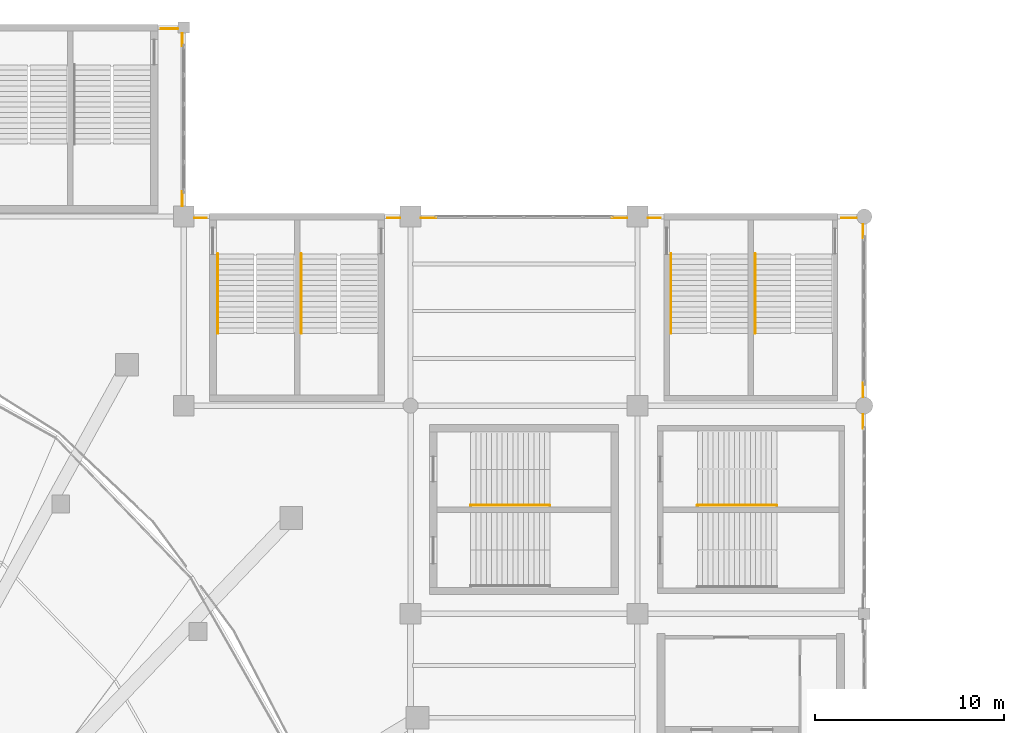
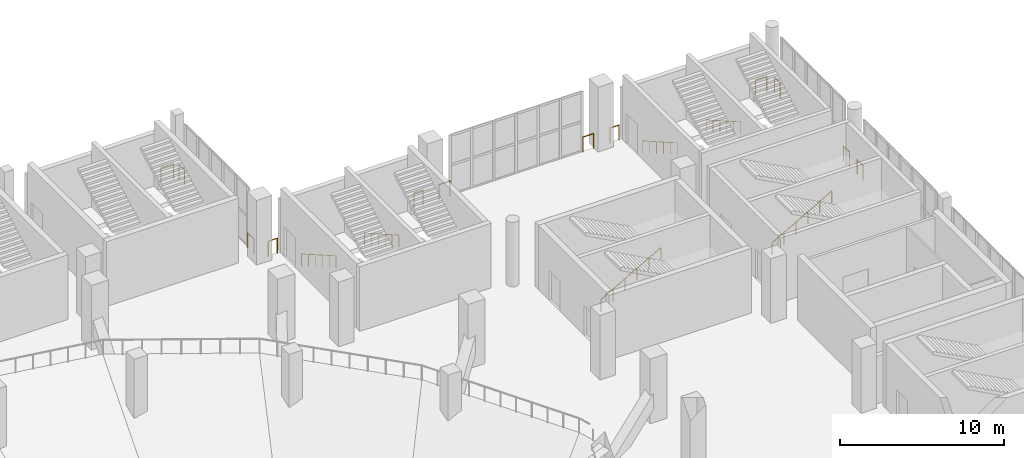
# One storey, part 136 of 136: 18 railings.
"""IFC4 building model written with IfcOpenShell, lengths in metres."""

from ifc_helpers import new_model, si_unit, direction, frame, origin, origin_2d, place, context, subcontext, project, spatial, circle, extrude, material, type_object, element, save


model = new_model("IFC4")

# Units and contexts
model_context = context("Model", 3, precision=1e-05, world=origin(), true_north=direction((0.0, 1.0)))
body_context = subcontext(model_context, "Body", "Model", "MODEL_VIEW")
ifc_project = project(units=[si_unit("LENGTHUNIT", "METRE"), si_unit("AREAUNIT", "SQUARE_METRE"), si_unit("VOLUMEUNIT", "CUBIC_METRE"), si_unit("PLANEANGLEUNIT", "RADIAN"), si_unit("MASSUNIT", "GRAM", prefix="KILO")], contexts=[model_context])

# Site, building, storey
site_placement = place(None, origin())
site = spatial("IfcSite", under=ifc_project, at=site_placement, CompositionType="ELEMENT")
building_placement = place(site_placement, origin())
building = spatial("IfcBuilding", under=site, at=building_placement, Name="Brinegate Civic Arena", CompositionType="ELEMENT")
storey_placement = place(building_placement, frame((0.0, 0.0, 5.39990234375)))
storey = spatial("IfcBuildingStorey", under=building, at=storey_placement, Name="L01", CompositionType="ELEMENT", Elevation=5.39990234375)

# Railings
ifc_material = material(Name="Architectural stainless steel balustrade", Category="steel")
railing_type_1 = type_object("IfcRailingType", Name="RAIL-STAIR-HANDRAIL-900", PredefinedType="HANDRAIL", material=ifc_material)
for number, where, name in (
    (1, (157.77490234375, 107.830078125, 2.400146484375), "Stair Pitch Handrail ST-05A L01"),
    (2, (162.22509765625, 107.830078125, 2.400146484375), "Stair Pitch Handrail ST-05B L01"),
    (3, (133.804931640625, 107.830078125, 2.400146484375), "Stair Pitch Handrail ST-13A L01"),
    (4, (138.22509765625, 107.830078125, 2.400146484375), "Stair Pitch Handrail ST-13B L01"),
):
    element("IfcRailing", number, at=place(storey_placement, frame(where)), inside=storey, type_object=railing_type_1, Name=name, PredefinedType="HANDRAIL", context=body_context, shape_type="SweptSolid", body=[
        extrude(circle(Radius=0.02392578125, at=origin_2d()), frame((0.0, 0.001220703125, 0.875), z_axis=(0.0, 0.868227612608, -0.496166114024), x_axis=(-1.0, 0.0, 0.0)), (0.0, 0.0, 1.0), 4.83447265625),
        extrude(circle(Radius=0.02099609375, at=origin_2d()), origin(), (0.0, 0.0, 1.0), 0.849853515625),
        extrude(circle(Radius=0.02099609375, at=origin_2d()), frame((0.0, 0.840087890625, -0.47998046875)), (0.0, 0.0, 1.0), 0.849853515625),
        extrude(circle(Radius=0.02099609375, at=origin_2d()), frame((0.0, 1.679931640625, -0.9599609375)), (0.0, 0.0, 1.0), 0.849853515625),
        extrude(circle(Radius=0.02099609375, at=origin_2d()), frame((0.0, 2.52001953125, -1.440185546875)), (0.0, 0.0, 1.0), 0.849853515625),
        extrude(circle(Radius=0.02099609375, at=origin_2d()), frame((0.0, 3.35986328125, -1.920166015625)), (0.0, 0.0, 1.0), 0.849853515625),
        extrude(circle(Radius=0.02099609375, at=origin_2d()), frame((0.0, 4.199951171875, -2.400146484375)), (0.0, 0.0, 1.0), 0.849853515625),
    ])
for number, where, name in (
    (5, (147.169921875, 98.72509765625, 0.0), "Stair Pitch Handrail ST-18B L01"),
    (6, (159.169921875, 98.72509765625, 0.0), "Stair Pitch Handrail ST-20B L01"),
):
    element("IfcRailing", number, at=place(storey_placement, frame(where)), inside=storey, type_object=railing_type_1, Name=name, PredefinedType="HANDRAIL", context=body_context, shape_type="SweptSolid", body=[
        extrude(circle(Radius=0.02392578125, at=origin_2d()), frame((0.001220703125, 0.0, 0.876708984375), z_axis=(0.868240036425, 0.0, 0.496144373291), x_axis=(0.0, 1.0, 0.0)), (0.0, 0.0, 1.0), 4.834716796875),
        extrude(circle(Radius=0.02099609375, at=origin_2d()), origin(), (0.0, 0.0, 1.0), 0.849853515625),
        extrude(circle(Radius=0.02099609375, at=origin_2d()), frame((0.840087890625, 0.0, 0.47998046875)), (0.0, 0.0, 1.0), 0.849853515625),
        extrude(circle(Radius=0.02099609375, at=origin_2d()), frame((1.68017578125, 0.0, 0.9599609375)), (0.0, 0.0, 1.0), 0.849853515625),
        extrude(circle(Radius=0.02099609375, at=origin_2d()), frame((2.52001953125, 0.0, 1.440185546875)), (0.0, 0.0, 1.0), 0.849853515625),
        extrude(circle(Radius=0.02099609375, at=origin_2d()), frame((3.360107421875, 0.0, 1.920166015625)), (0.0, 0.0, 1.0), 0.849853515625),
        extrude(circle(Radius=0.02099609375, at=origin_2d()), frame((4.2001953125, 0.0, 2.400146484375)), (0.0, 0.0, 1.0), 0.849853515625),
    ])
railing_type_2 = type_object("IfcRailingType", Name="RAIL-VOID-BALUSTRADE-1120", PredefinedType="BALUSTRADE", material=ifc_material)
railing_1_placement = place(storey_placement, frame((130.800048828125, 123.929931640625, 0.0)))
element("IfcRailing", 7, at=railing_1_placement, inside=storey, type_object=railing_type_2, Name="Deck Edge Balustrade L01-027", PredefinedType="BALUSTRADE", context=body_context, shape_type="SweptSolid", body=[
    extrude(circle(Radius=0.02392578125, at=origin_2d()), frame((0.00146484375, 0.0, 1.09619140625), z_axis=(1.0, 0.0, 0.0), x_axis=(0.0, 1.0, 0.0)), (0.0, 0.0, 1.0), 0.876953125),
    extrude(circle(Radius=0.02099609375, at=origin_2d()), origin(), (0.0, 0.0, 1.0), 1.070068359375),
    extrude(circle(Radius=0.02099609375, at=origin_2d()), frame((0.8798828125, 0.0, 0.0)), (0.0, 0.0, 1.0), 1.070068359375),
])
railing_2_placement = place(storey_placement, frame((131.929931640625, 123.679931640625, 0.0)))
element("IfcRailing", 8, at=railing_2_placement, inside=storey, type_object=railing_type_2, Name="Deck Edge Balustrade L01-028", PredefinedType="BALUSTRADE", context=body_context, shape_type="SweptSolid", body=[
    extrude(circle(Radius=0.02392578125, at=origin_2d()), frame((0.0, -0.00146484375, 1.09619140625), z_axis=(0.0, -1.0, 0.0), x_axis=(1.0, 0.0, 0.0)), (0.0, 0.0, 1.0), 0.651123046875),
    extrude(circle(Radius=0.02099609375, at=origin_2d()), origin(), (0.0, 0.0, 1.0), 1.070068359375),
    extrude(circle(Radius=0.02099609375, at=origin_2d()), frame((0.0, -0.654052734375, 0.0)), (0.0, 0.0, 1.0), 1.070068359375),
])
railing_3_placement = place(storey_placement, frame((131.929931640625, 115.327880859375, 0.0)))
element("IfcRailing", 9, at=railing_3_placement, inside=storey, type_object=railing_type_2, Name="Deck Edge Balustrade L01-029", PredefinedType="BALUSTRADE", context=body_context, shape_type="SweptSolid", body=[
    extrude(circle(Radius=0.02392578125, at=origin_2d()), frame((0.0, -0.00146484375, 1.09619140625), z_axis=(0.0, -1.0, 0.0), x_axis=(1.0, 0.0, 0.0)), (0.0, 0.0, 1.0), 0.7548828125),
    extrude(circle(Radius=0.02099609375, at=origin_2d()), origin(), (0.0, 0.0, 1.0), 1.070068359375),
    extrude(circle(Radius=0.02099609375, at=origin_2d()), frame((0.0, -0.7578125, 0.0)), (0.0, 0.0, 1.0), 1.070068359375),
])
for number, where, name in (
    (10, (132.570068359375, 113.929931640625, 0.0), "Deck Edge Balustrade L01-030"),
    (11, (142.800048828125, 113.929931640625, 0.0), "Deck Edge Balustrade L01-031"),
):
    element("IfcRailing", number, at=place(storey_placement, frame(where)), inside=storey, type_object=railing_type_2, Name=name, PredefinedType="BALUSTRADE", context=body_context, shape_type="SweptSolid", body=[
        extrude(circle(Radius=0.02392578125, at=origin_2d()), frame((0.00146484375, 0.0, 1.09619140625), z_axis=(1.0, 0.0, 0.0), x_axis=(0.0, 1.0, 0.0)), (0.0, 0.0, 1.0), 0.626953125),
        extrude(circle(Radius=0.02099609375, at=origin_2d()), origin(), (0.0, 0.0, 1.0), 1.070068359375),
        extrude(circle(Radius=0.02099609375, at=origin_2d()), frame((0.6298828125, 0.0, 0.0)), (0.0, 0.0, 1.0), 1.070068359375),
    ])
for number, where, name in (
    (12, (144.570068359375, 113.929931640625, 0.0), "Deck Edge Balustrade L01-032"),
    (13, (154.672119140625, 113.929931640625, 0.0), "Deck Edge Balustrade L01-033"),
):
    element("IfcRailing", number, at=place(storey_placement, frame(where)), inside=storey, type_object=railing_type_2, Name=name, PredefinedType="BALUSTRADE", context=body_context, shape_type="SweptSolid", body=[
        extrude(circle(Radius=0.02392578125, at=origin_2d()), frame((0.00146484375, 0.0, 1.09619140625), z_axis=(1.0, 0.0, 0.0), x_axis=(0.0, 1.0, 0.0)), (0.0, 0.0, 1.0), 0.7548828125),
        extrude(circle(Radius=0.02099609375, at=origin_2d()), origin(), (0.0, 0.0, 1.0), 1.070068359375),
        extrude(circle(Radius=0.02099609375, at=origin_2d()), frame((0.7578125, 0.0, 0.0)), (0.0, 0.0, 1.0), 1.070068359375),
    ])
railing_4_placement = place(storey_placement, frame((156.570068359375, 113.929931640625, 0.0)))
element("IfcRailing", 14, at=railing_4_placement, inside=storey, type_object=railing_type_2, Name="Deck Edge Balustrade L01-034", PredefinedType="BALUSTRADE", context=body_context, shape_type="SweptSolid", body=[
    extrude(circle(Radius=0.02392578125, at=origin_2d()), frame((0.00146484375, 0.0, 1.09619140625), z_axis=(1.0, 0.0, 0.0), x_axis=(0.0, 1.0, 0.0)), (0.0, 0.0, 1.0), 0.626953125),
    extrude(circle(Radius=0.02099609375, at=origin_2d()), origin(), (0.0, 0.0, 1.0), 1.070068359375),
    extrude(circle(Radius=0.02099609375, at=origin_2d()), frame((0.6298828125, 0.0, 0.0)), (0.0, 0.0, 1.0), 1.070068359375),
])
railing_5_placement = place(storey_placement, frame((166.800048828125, 113.929931640625, 0.0)))
element("IfcRailing", 15, at=railing_5_placement, inside=storey, type_object=railing_type_2, Name="Deck Edge Balustrade L01-035", PredefinedType="BALUSTRADE", context=body_context, shape_type="SweptSolid", body=[
    extrude(circle(Radius=0.02392578125, at=origin_2d()), frame((0.00146484375, 0.0, 1.09619140625), z_axis=(1.0, 0.0, 0.0), x_axis=(0.0, 1.0, 0.0)), (0.0, 0.0, 1.0), 0.777099609375),
    extrude(circle(Radius=0.02099609375, at=origin_2d()), origin(), (0.0, 0.0, 1.0), 1.070068359375),
    extrude(circle(Radius=0.02099609375, at=origin_2d()), frame((0.780029296875, 0.0, 0.0)), (0.0, 0.0, 1.0), 1.070068359375),
])
railing_6_placement = place(storey_placement, frame((167.929931640625, 113.580078125, 0.0)))
element("IfcRailing", 16, at=railing_6_placement, inside=storey, type_object=railing_type_2, Name="Deck Edge Balustrade L01-036", PredefinedType="BALUSTRADE", context=body_context, shape_type="SweptSolid", body=[
    extrude(circle(Radius=0.02392578125, at=origin_2d()), frame((0.0, -0.00146484375, 1.09619140625), z_axis=(0.0, -1.0, 0.0), x_axis=(1.0, 0.0, 0.0)), (0.0, 0.0, 1.0), 0.693115234375),
    extrude(circle(Radius=0.02099609375, at=origin_2d()), origin(), (0.0, 0.0, 1.0), 1.070068359375),
    extrude(circle(Radius=0.02099609375, at=origin_2d()), frame((0.0, -0.696044921875, 0.0)), (0.0, 0.0, 1.0), 1.070068359375),
])
for number, where, name in (
    (17, (167.929931640625, 105.18603515625, 0.0), "Deck Edge Balustrade L01-037"),
    (18, (167.929931640625, 103.530029296875, 0.0), "Deck Edge Balustrade L01-038"),
):
    element("IfcRailing", number, at=place(storey_placement, frame(where)), inside=storey, type_object=railing_type_2, Name=name, PredefinedType="BALUSTRADE", context=body_context, shape_type="SweptSolid", body=[
        extrude(circle(Radius=0.02392578125, at=origin_2d()), frame((0.0, -0.00146484375, 1.09619140625), z_axis=(0.0, -1.0, 0.0), x_axis=(1.0, 0.0, 0.0)), (0.0, 0.0, 1.0), 0.713134765625),
        extrude(circle(Radius=0.02099609375, at=origin_2d()), origin(), (0.0, 0.0, 1.0), 1.070068359375),
        extrude(circle(Radius=0.02099609375, at=origin_2d()), frame((0.0, -0.716064453125, 0.0)), (0.0, 0.0, 1.0), 1.070068359375),
    ])

save(model, "model.ifc")
